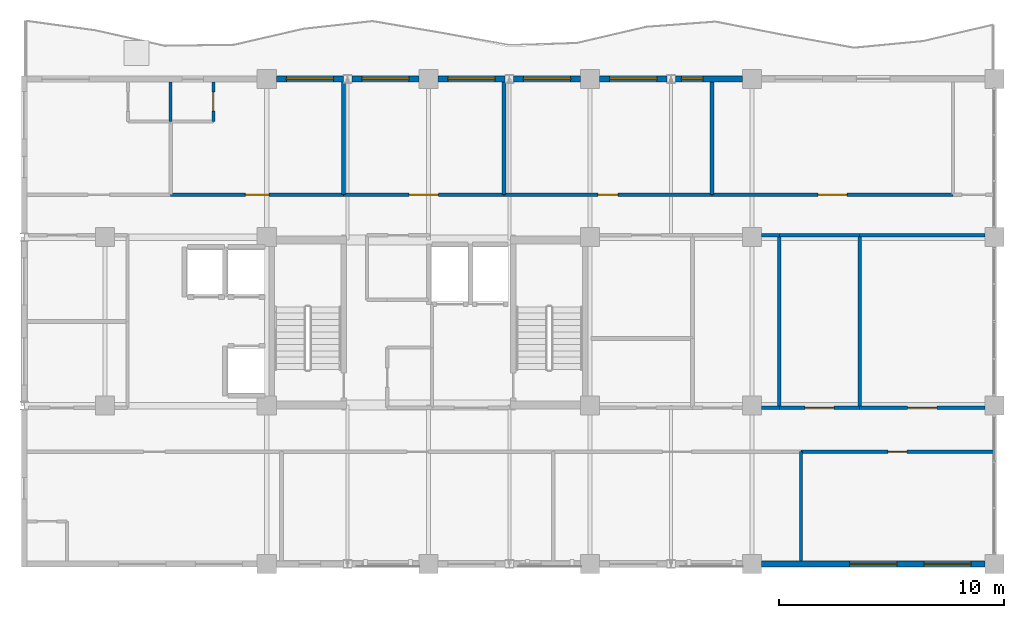
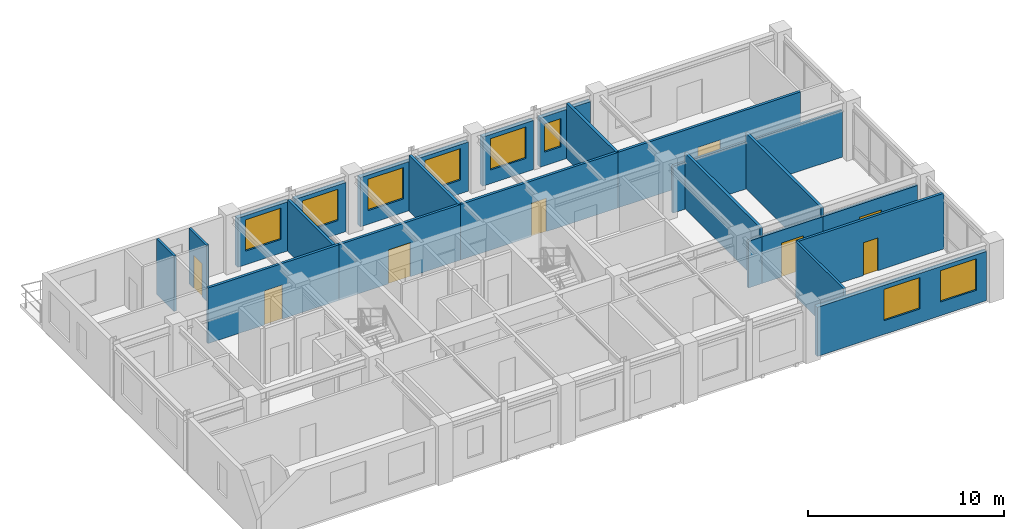
# One storey, part 8 of 11: 26 walls, 8 doors, 8 windows, 16 openings.
"""IFC4 building model written with IfcOpenShell, lengths in metres."""

from ifc_helpers import new_model, si_unit, direction, frame, frame_2d, origin, place, context, subcontext, project, spatial, rectangle, extrude, material, layer, layer_set, type_object, element, fill, save


model = new_model("IFC4")

# Units and contexts
model_context = context("Model", 3, precision=1e-05, world=origin(), true_north=direction((0.0, 1.0)))
body_context = subcontext(model_context, "Body", "Model", "MODEL_VIEW")
ifc_project = project(units=[si_unit("LENGTHUNIT", "METRE"), si_unit("AREAUNIT", "SQUARE_METRE"), si_unit("VOLUMEUNIT", "CUBIC_METRE"), si_unit("PLANEANGLEUNIT", "RADIAN"), si_unit("MASSUNIT", "GRAM", prefix="KILO")], contexts=[model_context])

# Site, building, storey
site_placement = place(None, origin())
site = spatial("IfcSite", under=ifc_project, at=site_placement, CompositionType="ELEMENT")
building_placement = place(site_placement, origin())
building = spatial("IfcBuilding", under=site, at=building_placement, Name="Kaliganga Portal Commons", CompositionType="ELEMENT")
storey_placement = place(building_placement, frame((0.0, 0.0, 264.699951171875)))
storey = spatial("IfcBuildingStorey", under=building, at=storey_placement, Name="L68", CompositionType="ELEMENT", Elevation=264.699951171875)

# Wall, openings, windows
ifc_material_1 = material(Name="Insulated Aluminium-Clad Spandrel Assembly", Category="aluminium")
ifc_layer_1 = layer(ifc_material_1, 0.260009765625)
ifc_layer_set_1 = layer_set([ifc_layer_1], Name="Insulated Aluminium-Clad Spandrel Assembly")
wall_type_1 = type_object("IfcWallType", Name="WL-EXT-SPAND-260", PredefinedType="STANDARD", material=ifc_layer_set_1)
wall_1_placement = place(storey_placement, frame((46.3740234375, 21.60009765625, 0.0), z_axis=(0.0, 0.0, 1.0), x_axis=(-1.0, 0.0, 0.0)))
wall_1 = element("IfcWall", 1, at=wall_1_placement, inside=storey, type_object=wall_type_1, Name="Exterior Envelope Wall L68 P1-E00-S8", PredefinedType="STANDARD", context=body_context, shape_type="SweptSolid", body=[
    extrude(rectangle(XDim=9.947998046875, YDim=0.260009765625, at=frame_2d((4.97412109375, 0.0))), origin(), (0.0, 0.0, 1.0), 3.054931640625),
])
opening_1_placement = place(wall_1_placement, frame((0.60791015625, 0.0, 0.85009765625)))
opening_1 = element("IfcOpeningElement", 2, at=opening_1_placement, cuts=wall_1, Name="Opening W-06", PredefinedType="OPENING", context=body_context, shape_type="SweptSolid", body=[
    extrude(rectangle(XDim=2.10009765625, YDim=1.949951171875, at=frame_2d((1.050048828125, 0.97509765625))), frame((0.0, 0.14013671875, 0.0), z_axis=(0.0, -1.0, 0.0), x_axis=(1.0, 0.0, 0.0)), (0.0, 0.0, 1.0), 0.280029296875),
])
opening_2_placement = place(wall_1_placement, frame((3.924072265625, 0.0, 0.85009765625)))
opening_2 = element("IfcOpeningElement", 3, at=opening_2_placement, cuts=wall_1, Name="Opening W-06", PredefinedType="OPENING", context=body_context, shape_type="SweptSolid", body=[
    extrude(rectangle(XDim=2.10009765625, YDim=1.949951171875, at=frame_2d((1.050048828125, 0.97509765625))), frame((0.0, 0.14013671875, 0.0), z_axis=(0.0, -1.0, 0.0), x_axis=(1.0, 0.0, 0.0)), (0.0, 0.0, 1.0), 0.280029296875),
])
ifc_material_2 = material(Name="Thermally Broken Aluminium and Low-E Double Glazing", Category="aluminium")
window_type_1 = type_object("IfcWindowType", Name="WIN-PAN-2100", PartitioningType="DOUBLE_PANEL_VERTICAL", PredefinedType="WINDOW", material=ifc_material_2)
window_1_placement = place(opening_1_placement, origin())
window_1 = element("IfcWindow", 4, at=window_1_placement, inside=storey, type_object=window_type_1, Name="Facade Window L68-P1E00S8-00", OverallHeight=1.949951171875, OverallWidth=2.10009765625, PartitioningType="SINGLE_PANEL", PredefinedType="WINDOW", context=body_context, shape_type="SweptSolid", body=[
    extrude(rectangle(XDim=2.10009765625, YDim=1.949951171875, at=frame_2d((1.050048828125, 0.97509765625))), frame((0.0, 0.030029296875, 0.0), z_axis=(0.0, -1.0, 0.0), x_axis=(1.0, 0.0, 0.0)), (0.0, 0.0, 1.0), 0.06005859375),
])
fill(opening_1, window_1)
window_2_placement = place(opening_2_placement, origin())
window_2 = element("IfcWindow", 5, at=window_2_placement, inside=storey, type_object=window_type_1, Name="Facade Window L68-P1E00S8-01", OverallHeight=1.949951171875, OverallWidth=2.10009765625, PartitioningType="SINGLE_PANEL", PredefinedType="WINDOW", context=body_context, shape_type="SweptSolid", body=[
    extrude(rectangle(XDim=2.10009765625, YDim=1.949951171875, at=frame_2d((1.050048828125, 0.97509765625))), frame((0.0, 0.030029296875, 0.0), z_axis=(0.0, -1.0, 0.0), x_axis=(1.0, 0.0, 0.0)), (0.0, 0.0, 1.0), 0.06005859375),
])
fill(opening_2, window_2)

# Wall, opening, window
wall_2_placement = place(storey_placement, frame((32.587890625, 43.199951171875, 0.0), z_axis=(0.0, 0.0, 1.0), x_axis=(1.0, 0.0, 0.0)))
wall_2 = element("IfcWall", 6, at=wall_2_placement, inside=storey, type_object=wall_type_1, Name="Exterior Envelope Wall L68 P1-E02-S2", PredefinedType="STANDARD", context=body_context, shape_type="SweptSolid", body=[
    extrude(rectangle(XDim=2.986083984375, YDim=0.260009765625, at=frame_2d((1.4931640625, 0.0))), origin(), (0.0, 0.0, 1.0), 3.054931640625),
])
opening_3_placement = place(wall_2_placement, frame((0.277587890625, 0.0, 0.85009765625)))
opening_3 = element("IfcOpeningElement", 7, at=opening_3_placement, cuts=wall_2, Name="Opening W-04", PredefinedType="OPENING", context=body_context, shape_type="SweptSolid", body=[
    extrude(rectangle(XDim=0.949951171875, YDim=1.75, at=frame_2d((0.47509765625, 0.875))), frame((0.0, 0.14013671875, 0.0), z_axis=(0.0, -1.0, 0.0), x_axis=(1.0, 0.0, 0.0)), (0.0, 0.0, 1.0), 0.280029296875),
])
window_type_2 = type_object("IfcWindowType", Name="WIN-NARROW-950", PartitioningType="SINGLE_PANEL", PredefinedType="WINDOW", material=ifc_material_2)
window_3_placement = place(opening_3_placement, origin())
window_3 = element("IfcWindow", 8, at=window_3_placement, inside=storey, type_object=window_type_2, Name="Facade Window L68-P1E02S2-N1", OverallHeight=1.75, OverallWidth=0.949951171875, PartitioningType="SINGLE_PANEL", PredefinedType="WINDOW", context=body_context, shape_type="SweptSolid", body=[
    extrude(rectangle(XDim=0.949951171875, YDim=1.75, at=frame_2d((0.47509765625, 0.875))), frame((0.0, 0.030029296875, 0.0), z_axis=(0.0, -1.0, 0.0), x_axis=(1.0, 0.0, 0.0)), (0.0, 0.0, 1.0), 0.06005859375),
])
fill(opening_3, window_3)

wall_3_placement = place(storey_placement, frame((29.22607421875, 43.199951171875, 0.0), z_axis=(0.0, 0.0, 1.0), x_axis=(1.0, 0.0, 0.0)))
wall_3 = element("IfcWall", 9, at=wall_3_placement, inside=storey, type_object=wall_type_1, Name="Exterior Envelope Wall L68 P1-E02-S3", PredefinedType="STANDARD", context=body_context, shape_type="SweptSolid", body=[
    extrude(rectangle(XDim=2.98583984375, YDim=0.260009765625, at=frame_2d((1.492919921875, 0.0))), origin(), (0.0, 0.0, 1.0), 3.054931640625),
])
opening_4_placement = place(wall_3_placement, frame((0.443115234375, 0.0, 0.85009765625)))
opening_4 = element("IfcOpeningElement", 10, at=opening_4_placement, cuts=wall_3, Name="Opening W-06", PredefinedType="OPENING", context=body_context, shape_type="SweptSolid", body=[
    extrude(rectangle(XDim=2.10009765625, YDim=1.949951171875, at=frame_2d((1.050048828125, 0.97509765625))), frame((0.0, 0.14013671875, 0.0), z_axis=(0.0, -1.0, 0.0), x_axis=(1.0, 0.0, 0.0)), (0.0, 0.0, 1.0), 0.280029296875),
])
window_4_placement = place(opening_4_placement, origin())
window_4 = element("IfcWindow", 11, at=window_4_placement, inside=storey, type_object=window_type_1, Name="Facade Window L68-P1E02S3-00", OverallHeight=1.949951171875, OverallWidth=2.10009765625, PartitioningType="SINGLE_PANEL", PredefinedType="WINDOW", context=body_context, shape_type="SweptSolid", body=[
    extrude(rectangle(XDim=2.10009765625, YDim=1.949951171875, at=frame_2d((1.050048828125, 0.97509765625))), frame((0.0, 0.030029296875, 0.0), z_axis=(0.0, -1.0, 0.0), x_axis=(1.0, 0.0, 0.0)), (0.0, 0.0, 1.0), 0.06005859375),
])
fill(opening_4, window_4)

wall_4_placement = place(storey_placement, frame((25.387939453125, 43.199951171875, 0.0), z_axis=(0.0, 0.0, 1.0), x_axis=(1.0, 0.0, 0.0)))
wall_4 = element("IfcWall", 12, at=wall_4_placement, inside=storey, type_object=wall_type_1, Name="Exterior Envelope Wall L68 P1-E02-S4", PredefinedType="STANDARD", context=body_context, shape_type="SweptSolid", body=[
    extrude(rectangle(XDim=2.986083984375, YDim=0.260009765625, at=frame_2d((1.4931640625, 0.0))), origin(), (0.0, 0.0, 1.0), 3.054931640625),
])
opening_5_placement = place(wall_4_placement, frame((0.443115234375, 0.0, 0.85009765625)))
opening_5 = element("IfcOpeningElement", 13, at=opening_5_placement, cuts=wall_4, Name="Opening W-06", PredefinedType="OPENING", context=body_context, shape_type="SweptSolid", body=[
    extrude(rectangle(XDim=2.10009765625, YDim=1.949951171875, at=frame_2d((1.050048828125, 0.97509765625))), frame((0.0, 0.14013671875, 0.0), z_axis=(0.0, -1.0, 0.0), x_axis=(1.0, 0.0, 0.0)), (0.0, 0.0, 1.0), 0.280029296875),
])
window_5_placement = place(opening_5_placement, origin())
window_5 = element("IfcWindow", 14, at=window_5_placement, inside=storey, type_object=window_type_1, Name="Facade Window L68-P1E02S4-00", OverallHeight=1.949951171875, OverallWidth=2.10009765625, PartitioningType="SINGLE_PANEL", PredefinedType="WINDOW", context=body_context, shape_type="SweptSolid", body=[
    extrude(rectangle(XDim=2.10009765625, YDim=1.949951171875, at=frame_2d((1.050048828125, 0.97509765625))), frame((0.0, 0.030029296875, 0.0), z_axis=(0.0, -1.0, 0.0), x_axis=(1.0, 0.0, 0.0)), (0.0, 0.0, 1.0), 0.06005859375),
])
fill(opening_5, window_5)

wall_5_placement = place(storey_placement, frame((22.02587890625, 43.199951171875, 0.0), z_axis=(0.0, 0.0, 1.0), x_axis=(1.0, 0.0, 0.0)))
wall_5 = element("IfcWall", 15, at=wall_5_placement, inside=storey, type_object=wall_type_1, Name="Exterior Envelope Wall L68 P1-E02-S5", PredefinedType="STANDARD", context=body_context, shape_type="SweptSolid", body=[
    extrude(rectangle(XDim=2.986083984375, YDim=0.260009765625, at=frame_2d((1.4931640625, 0.0))), origin(), (0.0, 0.0, 1.0), 3.054931640625),
])
opening_6_placement = place(wall_5_placement, frame((0.443115234375, 0.0, 0.85009765625)))
opening_6 = element("IfcOpeningElement", 16, at=opening_6_placement, cuts=wall_5, Name="Opening W-06", PredefinedType="OPENING", context=body_context, shape_type="SweptSolid", body=[
    extrude(rectangle(XDim=2.10009765625, YDim=1.949951171875, at=frame_2d((1.050048828125, 0.97509765625))), frame((0.0, 0.14013671875, 0.0), z_axis=(0.0, -1.0, 0.0), x_axis=(1.0, 0.0, 0.0)), (0.0, 0.0, 1.0), 0.280029296875),
])
window_6_placement = place(opening_6_placement, origin())
window_6 = element("IfcWindow", 17, at=window_6_placement, inside=storey, type_object=window_type_1, Name="Facade Window L68-P1E02S5-00", OverallHeight=1.949951171875, OverallWidth=2.10009765625, PartitioningType="SINGLE_PANEL", PredefinedType="WINDOW", context=body_context, shape_type="SweptSolid", body=[
    extrude(rectangle(XDim=2.10009765625, YDim=1.949951171875, at=frame_2d((1.050048828125, 0.97509765625))), frame((0.0, 0.030029296875, 0.0), z_axis=(0.0, -1.0, 0.0), x_axis=(1.0, 0.0, 0.0)), (0.0, 0.0, 1.0), 0.06005859375),
])
fill(opening_6, window_6)

wall_6_placement = place(storey_placement, frame((18.18798828125, 43.199951171875, 0.0), z_axis=(0.0, 0.0, 1.0), x_axis=(1.0, 0.0, 0.0)))
wall_6 = element("IfcWall", 18, at=wall_6_placement, inside=storey, type_object=wall_type_1, Name="Exterior Envelope Wall L68 P1-E02-S6", PredefinedType="STANDARD", context=body_context, shape_type="SweptSolid", body=[
    extrude(rectangle(XDim=2.986083984375, YDim=0.260009765625, at=frame_2d((1.4931640625, 0.0))), origin(), (0.0, 0.0, 1.0), 3.054931640625),
])
opening_7_placement = place(wall_6_placement, frame((0.443115234375, 0.0, 0.85009765625)))
opening_7 = element("IfcOpeningElement", 19, at=opening_7_placement, cuts=wall_6, Name="Opening W-06", PredefinedType="OPENING", context=body_context, shape_type="SweptSolid", body=[
    extrude(rectangle(XDim=2.10009765625, YDim=1.949951171875, at=frame_2d((1.050048828125, 0.97509765625))), frame((0.0, 0.14013671875, 0.0), z_axis=(0.0, -1.0, 0.0), x_axis=(1.0, 0.0, 0.0)), (0.0, 0.0, 1.0), 0.280029296875),
])
window_7_placement = place(opening_7_placement, origin())
window_7 = element("IfcWindow", 20, at=window_7_placement, inside=storey, type_object=window_type_1, Name="Facade Window L68-P1E02S6-00", OverallHeight=1.949951171875, OverallWidth=2.10009765625, PartitioningType="SINGLE_PANEL", PredefinedType="WINDOW", context=body_context, shape_type="SweptSolid", body=[
    extrude(rectangle(XDim=2.10009765625, YDim=1.949951171875, at=frame_2d((1.050048828125, 0.97509765625))), frame((0.0, 0.030029296875, 0.0), z_axis=(0.0, -1.0, 0.0), x_axis=(1.0, 0.0, 0.0)), (0.0, 0.0, 1.0), 0.06005859375),
])
fill(opening_7, window_7)

wall_7_placement = place(storey_placement, frame((14.825927734375, 43.199951171875, 0.0), z_axis=(0.0, 0.0, 1.0), x_axis=(1.0, 0.0, 0.0)))
wall_7 = element("IfcWall", 21, at=wall_7_placement, inside=storey, type_object=wall_type_1, Name="Exterior Envelope Wall L68 P1-E02-S7", PredefinedType="STANDARD", context=body_context, shape_type="SweptSolid", body=[
    extrude(rectangle(XDim=2.986083984375, YDim=0.260009765625, at=frame_2d((1.4931640625, 0.0))), origin(), (0.0, 0.0, 1.0), 3.054931640625),
])
opening_8_placement = place(wall_7_placement, frame((0.443115234375, 0.0, 0.85009765625)))
opening_8 = element("IfcOpeningElement", 22, at=opening_8_placement, cuts=wall_7, Name="Opening W-06", PredefinedType="OPENING", context=body_context, shape_type="SweptSolid", body=[
    extrude(rectangle(XDim=2.10009765625, YDim=1.949951171875, at=frame_2d((1.050048828125, 0.97509765625))), frame((0.0, 0.14013671875, 0.0), z_axis=(0.0, -1.0, 0.0), x_axis=(1.0, 0.0, 0.0)), (0.0, 0.0, 1.0), 0.280029296875),
])
window_8_placement = place(opening_8_placement, origin())
window_8 = element("IfcWindow", 23, at=window_8_placement, inside=storey, type_object=window_type_1, Name="Facade Window L68-P1E02S7-00", OverallHeight=1.949951171875, OverallWidth=2.10009765625, PartitioningType="SINGLE_PANEL", PredefinedType="WINDOW", context=body_context, shape_type="SweptSolid", body=[
    extrude(rectangle(XDim=2.10009765625, YDim=1.949951171875, at=frame_2d((1.050048828125, 0.97509765625))), frame((0.0, 0.030029296875, 0.0), z_axis=(0.0, -1.0, 0.0), x_axis=(1.0, 0.0, 0.0)), (0.0, 0.0, 1.0), 0.06005859375),
])
fill(opening_8, window_8)

# Wall, opening, door
ifc_material_3 = material(Name="Fire-Rated Gypsum Board on Steel Stud", Category="steel")
ifc_layer_2 = layer(ifc_material_3, 0.14990234375)
ifc_layer_set_2 = layer_set([ifc_layer_2], Name="Fire-Rated Gypsum Board on Steel Stud")
wall_type_2 = type_object("IfcWallType", Name="WL-PART-CORR-150", PredefinedType="PARTITIONING", material=ifc_layer_set_2)
wall_8_placement = place(storey_placement, frame((34.219970703125, 38.0400390625, 0.0), z_axis=(0.0, 0.0, 1.0), x_axis=(1.0, 0.0, 0.0)))
wall_8 = element("IfcWall", 24, at=wall_8_placement, inside=storey, type_object=wall_type_2, Name="Interior Partition L68-011", PredefinedType="PARTITIONING", context=body_context, shape_type="SweptSolid", body=[
    extrude(rectangle(XDim=10.739990234375, YDim=0.14990234375, at=frame_2d((5.3701171875, 0.0))), origin(), (0.0, 0.0, 1.0), 3.455078125),
])
opening_9_placement = place(wall_8_placement, frame((4.719970703125, 0.0, 0.0)))
opening_9 = element("IfcOpeningElement", 25, at=opening_9_placement, cuts=wall_8, Name="Opening RD-03", PredefinedType="OPENING", context=body_context, shape_type="SweptSolid", body=[
    extrude(rectangle(XDim=1.300048828125, YDim=2.1201171875, at=frame_2d((0.64990234375, 1.06005859375))), frame((0.0, 0.0849609375, 0.0), z_axis=(0.0, -1.0, 0.0), x_axis=(1.0, 0.0, 0.0)), (0.0, 0.0, 1.0), 0.169921875),
])
ifc_material_4 = material(Name="Glazed Timber Seminar Vision Door", Category="wood")
door_type_1 = type_object("IfcDoorType", Name="DR-STUDY-1300", OperationType="DOUBLE_DOOR_SINGLE_SWING", PredefinedType="DOOR", material=ifc_material_4)
door_1_placement = place(opening_9_placement, origin())
door_1 = element("IfcDoor", 26, at=door_1_placement, inside=storey, type_object=door_type_1, Name="Interior Door L68-AN05", OperationType="DOUBLE_DOOR_SINGLE_SWING", OverallHeight=2.1201171875, OverallWidth=1.300048828125, PredefinedType="DOOR", context=body_context, shape_type="SweptSolid", body=[
    extrude(rectangle(XDim=1.300048828125, YDim=2.1201171875, at=frame_2d((0.64990234375, 1.06005859375))), frame((0.0, 0.02490234375, 0.0), z_axis=(0.0, -1.0, 0.0), x_axis=(1.0, 0.0, 0.0)), (0.0, 0.0, 1.0), 0.050048828125),
])
fill(opening_9, door_1)

wall_9_placement = place(storey_placement, frame((24.9599609375, 38.0400390625, 0.0), z_axis=(0.0, 0.0, 1.0), x_axis=(1.0, 0.0, 0.0)))
wall_9 = element("IfcWall", 27, at=wall_9_placement, inside=storey, type_object=wall_type_2, Name="Interior Partition L68-012", PredefinedType="PARTITIONING", context=body_context, shape_type="SweptSolid", body=[
    extrude(rectangle(XDim=9.260009765625, YDim=0.14990234375, at=frame_2d((4.6298828125, 0.0))), origin(), (0.0, 0.0, 1.0), 3.455078125),
])
opening_10_placement = place(wall_9_placement, frame((4.179931640625, 0.0, 0.0)))
opening_10 = element("IfcOpeningElement", 28, at=opening_10_placement, cuts=wall_9, Name="Opening RD-01", PredefinedType="OPENING", context=body_context, shape_type="SweptSolid", body=[
    extrude(rectangle(XDim=0.89990234375, YDim=2.080078125, at=frame_2d((0.449951171875, 1.0400390625))), frame((0.0, 0.0849609375, 0.0), z_axis=(0.0, -1.0, 0.0), x_axis=(1.0, 0.0, 0.0)), (0.0, 0.0, 1.0), 0.169921875),
])
ifc_material_5 = material(Name="Engineered Timber Flush Door", Category="wood")
door_type_2 = type_object("IfcDoorType", Name="DR-ROOM-900", OperationType="NOTDEFINED", PredefinedType="DOOR", material=ifc_material_5)
door_2_placement = place(opening_10_placement, origin())
door_2 = element("IfcDoor", 29, at=door_2_placement, inside=storey, type_object=door_type_2, Name="Interior Door L68-AN04", OperationType="SINGLE_SWING_RIGHT", OverallHeight=2.080078125, OverallWidth=0.89990234375, PredefinedType="DOOR", context=body_context, shape_type="SweptSolid", body=[
    extrude(rectangle(XDim=0.89990234375, YDim=2.080078125, at=frame_2d((0.449951171875, 1.0400390625))), frame((0.0, 0.02490234375, 0.0), z_axis=(0.0, -1.0, 0.0), x_axis=(1.0, 0.0, 0.0)), (0.0, 0.0, 1.0), 0.050048828125),
])
fill(opening_10, door_2)

wall_10_placement = place(storey_placement, frame((38.179931640625, 26.60009765625, 0.0), z_axis=(0.0, 0.0, 1.0), x_axis=(1.0, 0.0, 0.0)))
wall_10 = element("IfcWall", 30, at=wall_10_placement, inside=storey, type_object=wall_type_2, Name="Interior Partition L68-013", PredefinedType="PARTITIONING", context=body_context, shape_type="SweptSolid", body=[
    extrude(rectangle(XDim=8.60009765625, YDim=0.14990234375, at=frame_2d((4.300048828125, 0.0))), origin(), (0.0, 0.0, 1.0), 3.455078125),
])
opening_11_placement = place(wall_10_placement, frame((3.875, 0.0, 0.0)))
opening_11 = element("IfcOpeningElement", 31, at=opening_11_placement, cuts=wall_10, Name="Opening WD-01", PredefinedType="OPENING", context=body_context, shape_type="SweptSolid", body=[
    extrude(rectangle(XDim=0.85009765625, YDim=2.0400390625, at=frame_2d((0.425048828125, 1.02001953125))), frame((0.0, 0.0849609375, 0.0), z_axis=(0.0, -1.0, 0.0), x_axis=(1.0, 0.0, 0.0)), (0.0, 0.0, 1.0), 0.169921875),
])
ifc_material_6 = material(Name="Moisture-Resistant Laminate Timber Door", Category="wood")
door_type_3 = type_object("IfcDoorType", Name="DR-WET-850", OperationType="NOTDEFINED", PredefinedType="DOOR", material=ifc_material_6)
door_3_placement = place(opening_11_placement, origin())
door_3 = element("IfcDoor", 32, at=door_3_placement, inside=storey, type_object=door_type_3, Name="Interior Door L68-AS04", OperationType="SINGLE_SWING_LEFT", OverallHeight=2.0400390625, OverallWidth=0.85009765625, PredefinedType="DOOR", context=body_context, shape_type="SweptSolid", body=[
    extrude(rectangle(XDim=0.85009765625, YDim=2.0400390625, at=frame_2d((0.425048828125, 1.02001953125))), frame((0.0, 0.02490234375, 0.0), z_axis=(0.0, -1.0, 0.0), x_axis=(1.0, 0.0, 0.0)), (0.0, 0.0, 1.0), 0.050048828125),
])
fill(opening_11, door_3)

wall_11_placement = place(storey_placement, frame((10.1201171875, 38.0400390625, 0.0), z_axis=(0.0, 0.0, 1.0), x_axis=(1.0, 0.0, 0.0)))
wall_11 = element("IfcWall", 33, at=wall_11_placement, inside=storey, type_object=wall_type_2, Name="Interior Partition L68-014", PredefinedType="PARTITIONING", context=body_context, shape_type="SweptSolid", body=[
    extrude(rectangle(XDim=7.699951171875, YDim=0.14990234375, at=frame_2d((3.85009765625, 0.0))), origin(), (0.0, 0.0, 1.0), 3.455078125),
])
opening_12_placement = place(wall_11_placement, frame((3.324951171875, 0.0, 0.0)))
opening_12 = element("IfcOpeningElement", 34, at=opening_12_placement, cuts=wall_11, Name="Opening UD-02", PredefinedType="OPENING", context=body_context, shape_type="SweptSolid", body=[
    extrude(rectangle(XDim=1.050048828125, YDim=2.1201171875, at=frame_2d((0.52490234375, 1.06005859375))), frame((0.0, 0.0849609375, 0.0), z_axis=(0.0, -1.0, 0.0), x_axis=(1.0, 0.0, 0.0)), (0.0, 0.0, 1.0), 0.169921875),
])
ifc_material_7 = material(Name="Accessible Wide-Leaf Acoustic Fire Door", Category="wood")
door_type_4 = type_object("IfcDoorType", Name="DR-ACC-1050", OperationType="NOTDEFINED", PredefinedType="DOOR", material=ifc_material_7)
door_4_placement = place(opening_12_placement, origin())
door_4 = element("IfcDoor", 35, at=door_4_placement, inside=storey, type_object=door_type_4, Name="Interior Door L68-AN02", OperationType="SINGLE_SWING_RIGHT", OverallHeight=2.1201171875, OverallWidth=1.050048828125, PredefinedType="DOOR", context=body_context, shape_type="SweptSolid", body=[
    extrude(rectangle(XDim=1.050048828125, YDim=2.1201171875, at=frame_2d((0.52490234375, 1.06005859375))), frame((0.0, 0.02490234375, 0.0), z_axis=(0.0, -1.0, 0.0), x_axis=(1.0, 0.0, 0.0)), (0.0, 0.0, 1.0), 0.050048828125),
])
fill(opening_12, door_4)

wall_12_placement = place(storey_placement, frame((17.820068359375, 38.0400390625, 0.0), z_axis=(0.0, 0.0, 1.0), x_axis=(1.0, 0.0, 0.0)))
wall_12 = element("IfcWall", 36, at=wall_12_placement, inside=storey, type_object=wall_type_2, Name="Interior Partition L68-015", PredefinedType="PARTITIONING", context=body_context, shape_type="SweptSolid", body=[
    extrude(rectangle(XDim=7.139892578125, YDim=0.14990234375, at=frame_2d((3.56982421875, 0.0))), origin(), (0.0, 0.0, 1.0), 3.455078125),
])
opening_13_placement = place(wall_12_placement, frame((2.919921875, 0.0, 0.0)))
opening_13 = element("IfcOpeningElement", 37, at=opening_13_placement, cuts=wall_12, Name="Opening RD-03", PredefinedType="OPENING", context=body_context, shape_type="SweptSolid", body=[
    extrude(rectangle(XDim=1.300048828125, YDim=2.1201171875, at=frame_2d((0.64990234375, 1.06005859375))), frame((0.0, 0.0849609375, 0.0), z_axis=(0.0, -1.0, 0.0), x_axis=(1.0, 0.0, 0.0)), (0.0, 0.0, 1.0), 0.169921875),
])
door_5_placement = place(opening_13_placement, origin())
door_5 = element("IfcDoor", 38, at=door_5_placement, inside=storey, type_object=door_type_1, Name="Interior Door L68-AN03", OperationType="DOUBLE_DOOR_SINGLE_SWING", OverallHeight=2.1201171875, OverallWidth=1.300048828125, PredefinedType="DOOR", context=body_context, shape_type="SweptSolid", body=[
    extrude(rectangle(XDim=1.300048828125, YDim=2.1201171875, at=frame_2d((0.64990234375, 1.06005859375))), frame((0.0, 0.02490234375, 0.0), z_axis=(0.0, -1.0, 0.0), x_axis=(1.0, 0.0, 0.0)), (0.0, 0.0, 1.0), 0.050048828125),
])
fill(opening_13, door_5)

wall_13_placement = place(storey_placement, frame((40.800048828125, 28.56005859375, 0.0), z_axis=(0.0, 0.0, 1.0), x_axis=(1.0, 0.0, 0.0)))
wall_13 = element("IfcWall", 39, at=wall_13_placement, inside=storey, type_object=wall_type_2, Name="Interior Partition L68-017", PredefinedType="PARTITIONING", context=body_context, shape_type="SweptSolid", body=[
    extrude(rectangle(XDim=5.574951171875, YDim=0.14990234375, at=frame_2d((2.78759765625, 0.0))), origin(), (0.0, 0.0, 1.0), 2.905029296875),
])
opening_14_placement = place(wall_13_placement, frame((2.137451171875, 0.0, 0.0)))
opening_14 = element("IfcOpeningElement", 40, at=opening_14_placement, cuts=wall_13, Name="Opening RD-03", PredefinedType="OPENING", context=body_context, shape_type="SweptSolid", body=[
    extrude(rectangle(XDim=1.300048828125, YDim=2.1201171875, at=frame_2d((0.64990234375, 1.06005859375))), frame((0.0, 0.0849609375, 0.0), z_axis=(0.0, -1.0, 0.0), x_axis=(1.0, 0.0, 0.0)), (0.0, 0.0, 1.0), 0.169921875),
])
door_6_placement = place(opening_14_placement, origin())
door_6 = element("IfcDoor", 41, at=door_6_placement, inside=storey, type_object=door_type_1, Name="Interior Door L68-AE03", OperationType="DOUBLE_DOOR_SINGLE_SWING", OverallHeight=2.1201171875, OverallWidth=1.300048828125, PredefinedType="DOOR", context=body_context, shape_type="SweptSolid", body=[
    extrude(rectangle(XDim=1.300048828125, YDim=2.1201171875, at=frame_2d((0.64990234375, 1.06005859375))), frame((0.0, 0.02490234375, 0.0), z_axis=(0.0, -1.0, 0.0), x_axis=(1.0, 0.0, 0.0)), (0.0, 0.0, 1.0), 0.050048828125),
])
fill(opening_14, door_6)

# Walls
wall_14_placement = place(storey_placement, frame((40.800048828125, 36.239990234375, 0.0), z_axis=(0.0, 0.0, 1.0), x_axis=(1.0, 0.0, 0.0)))
element("IfcWall", 42, at=wall_14_placement, inside=storey, type_object=wall_type_2, Name="Interior Partition L68-018", PredefinedType="PARTITIONING", context=body_context, shape_type="SweptSolid", body=[
    extrude(rectangle(XDim=5.574951171875, YDim=0.14990234375, at=frame_2d((2.78759765625, 0.0))), origin(), (0.0, 0.0, 1.0), 2.905029296875),
])
for number, where, z_axis, x_axis, name in (
    (43, (36.425048828125, 28.56005859375, 0.0), (0.0, 0.0, 1.0), (1.0, 0.0, 0.0), "Interior Partition L68-026"),
    (44, (36.425048828125, 36.239990234375, 0.0), (0.0, 0.0, 1.0), (1.0, 0.0, 0.0), "Interior Partition L68-028"),
):
    element("IfcWall", number, at=place(storey_placement, frame(where, z_axis=z_axis, x_axis=x_axis)), inside=storey, type_object=wall_type_2, Name=name, PredefinedType="PARTITIONING", context=body_context, shape_type="SweptSolid", body=[
        extrude(rectangle(XDim=0.794921875, YDim=0.14990234375, at=frame_2d((0.3974609375, 0.0))), origin(), (0.0, 0.0, 1.0), 2.905029296875),
    ])

# Wall, opening, door
wall_15_placement = place(storey_placement, frame((37.219970703125, 28.56005859375, 0.0), z_axis=(0.0, 0.0, 1.0), x_axis=(1.0, 0.0, 0.0)))
wall_15 = element("IfcWall", 45, at=wall_15_placement, inside=storey, type_object=wall_type_2, Name="Interior Partition L68-031", PredefinedType="PARTITIONING", context=body_context, shape_type="SweptSolid", body=[
    extrude(rectangle(XDim=3.580078125, YDim=0.14990234375, at=frame_2d((1.7900390625, 0.0))), origin(), (0.0, 0.0, 1.0), 2.905029296875),
])
opening_15_placement = place(wall_15_placement, frame((1.139892578125, 0.0, 0.0)))
opening_15 = element("IfcOpeningElement", 46, at=opening_15_placement, cuts=wall_15, Name="Opening RD-03", PredefinedType="OPENING", context=body_context, shape_type="SweptSolid", body=[
    extrude(rectangle(XDim=1.300048828125, YDim=2.1201171875, at=frame_2d((0.64990234375, 1.06005859375))), frame((0.0, 0.0849609375, 0.0), z_axis=(0.0, -1.0, 0.0), x_axis=(1.0, 0.0, 0.0)), (0.0, 0.0, 1.0), 0.169921875),
])
door_7_placement = place(opening_15_placement, origin())
door_7 = element("IfcDoor", 47, at=door_7_placement, inside=storey, type_object=door_type_1, Name="Interior Door L68-AE02", OperationType="DOUBLE_DOOR_SINGLE_SWING", OverallHeight=2.1201171875, OverallWidth=1.300048828125, PredefinedType="DOOR", context=body_context, shape_type="SweptSolid", body=[
    extrude(rectangle(XDim=1.300048828125, YDim=2.1201171875, at=frame_2d((0.64990234375, 1.06005859375))), frame((0.0, 0.02490234375, 0.0), z_axis=(0.0, -1.0, 0.0), x_axis=(1.0, 0.0, 0.0)), (0.0, 0.0, 1.0), 0.050048828125),
])
fill(opening_15, door_7)

# Walls
wall_16_placement = place(storey_placement, frame((37.219970703125, 36.239990234375, 0.0), z_axis=(0.0, 0.0, 1.0), x_axis=(1.0, 0.0, 0.0)))
element("IfcWall", 48, at=wall_16_placement, inside=storey, type_object=wall_type_2, Name="Interior Partition L68-032", PredefinedType="PARTITIONING", context=body_context, shape_type="SweptSolid", body=[
    extrude(rectangle(XDim=3.580078125, YDim=0.14990234375, at=frame_2d((1.7900390625, 0.0))), origin(), (0.0, 0.0, 1.0), 2.905029296875),
])
ifc_material_8 = material(Name="Twin-Stud Acoustic Gypsum Partition", Category="gypsum")
ifc_layer_3 = layer(ifc_material_8, 0.1650390625)
ifc_layer_set_3 = layer_set([ifc_layer_3], Name="Twin-Stud Acoustic Gypsum Partition")
wall_type_3 = type_object("IfcWallType", Name="WL-PART-UNIT-165", PredefinedType="PARTITIONING", material=ifc_layer_set_3)
for number, where, z_axis, x_axis, name in (
    (49, (37.219970703125, 28.56005859375, 0.0), (0.0, 0.0, 1.0), (0.0, 1.0, 0.0), "Interior Partition L68-042"),
    (50, (40.800048828125, 28.56005859375, 0.0), (0.0, 0.0, 1.0), (0.0, 1.0, 0.0), "Interior Partition L68-043"),
):
    element("IfcWall", number, at=place(storey_placement, frame(where, z_axis=z_axis, x_axis=x_axis)), inside=storey, type_object=wall_type_3, Name=name, PredefinedType="PARTITIONING", context=body_context, shape_type="SweptSolid", body=[
        extrude(rectangle(XDim=7.679931640625, YDim=0.1650390625, at=frame_2d((3.83984375, 0.0))), origin(), (0.0, 0.0, 1.0), 3.455078125),
    ])
wall_17_placement = place(storey_placement, frame((17.820068359375, 38.0400390625, 0.0), z_axis=(0.0, 0.0, 1.0), x_axis=(0.0, 1.0, 0.0)))
element("IfcWall", 51, at=wall_17_placement, inside=storey, type_object=wall_type_3, Name="Interior Partition L68-044", PredefinedType="PARTITIONING", context=body_context, shape_type="SweptSolid", body=[
    extrude(rectangle(XDim=5.028076171875, YDim=0.1650390625, at=frame_2d((2.51416015625, 0.0))), origin(), (0.0, 0.0, 1.0), 3.18505859375),
])
for number, where, z_axis, x_axis, name in (
    (52, (24.9599609375, 38.0400390625, 0.0), (0.0, 0.0, 1.0), (0.0, 1.0, 0.0), "Interior Partition L68-045"),
    (53, (34.219970703125, 38.0400390625, 0.0), (0.0, 0.0, 1.0), (0.0, 1.0, 0.0), "Interior Partition L68-046"),
):
    element("IfcWall", number, at=place(storey_placement, frame(where, z_axis=z_axis, x_axis=x_axis)), inside=storey, type_object=wall_type_3, Name=name, PredefinedType="PARTITIONING", context=body_context, shape_type="SweptSolid", body=[
        extrude(rectangle(XDim=5.028076171875, YDim=0.1650390625, at=frame_2d((2.51416015625, 0.0))), origin(), (0.0, 0.0, 1.0), 3.455078125),
    ])
ifc_material_9 = material(Name="Cement-Board Wet-Room Partition", Category="gypsum")
ifc_layer_4 = layer(ifc_material_9, 0.135009765625)
ifc_layer_set_4 = layer_set([ifc_layer_4], Name="Cement-Board Wet-Room Partition")
wall_type_4 = type_object("IfcWallType", Name="WL-PART-WET-135", PredefinedType="PARTITIONING", material=ifc_layer_set_4)
wall_18_placement = place(storey_placement, frame((10.1201171875, 41.300048828125, 0.0), z_axis=(0.0, 0.0, 1.0), x_axis=(0.0, 1.0, 0.0)))
element("IfcWall", 54, at=wall_18_placement, inside=storey, type_object=wall_type_4, Name="Interior Partition L68-002", PredefinedType="PARTITIONING", context=body_context, shape_type="SweptSolid", body=[
    extrude(rectangle(XDim=1.76806640625, YDim=0.135009765625, at=frame_2d((0.884033203125, 0.0))), origin(), (0.0, 0.0, 1.0), 3.455078125),
])

# Wall, opening, door
wall_19_placement = place(storey_placement, frame((12.02001953125, 41.300048828125, 0.0), z_axis=(0.0, 0.0, 1.0), x_axis=(0.0, 1.0, 0.0)))
wall_19 = element("IfcWall", 55, at=wall_19_placement, inside=storey, type_object=wall_type_4, Name="Interior Partition L68-003", PredefinedType="PARTITIONING", context=body_context, shape_type="SweptSolid", body=[
    extrude(rectangle(XDim=1.76806640625, YDim=0.135009765625, at=frame_2d((0.884033203125, 0.0))), origin(), (0.0, 0.0, 1.0), 3.455078125),
])
opening_16_placement = place(wall_19_placement, frame((0.458984375, 0.0, 0.0)))
opening_16 = element("IfcOpeningElement", 56, at=opening_16_placement, cuts=wall_19, Name="Opening WD-01", PredefinedType="OPENING", context=body_context, shape_type="SweptSolid", body=[
    extrude(rectangle(XDim=0.85009765625, YDim=2.0400390625, at=frame_2d((0.425048828125, 1.02001953125))), frame((0.0, 0.07763671875, 0.0), z_axis=(0.0, -1.0, 0.0), x_axis=(1.0, 0.0, 0.0)), (0.0, 0.0, 1.0), 0.155029296875),
])
door_8_placement = place(opening_16_placement, origin())
door_8 = element("IfcDoor", 57, at=door_8_placement, inside=storey, type_object=door_type_3, Name="Interior Door L68-AN02E", OperationType="SINGLE_SWING_RIGHT", OverallHeight=2.0400390625, OverallWidth=0.85009765625, PredefinedType="DOOR", context=body_context, shape_type="SweptSolid", body=[
    extrude(rectangle(XDim=0.85009765625, YDim=2.0400390625, at=frame_2d((0.425048828125, 1.02001953125))), frame((0.0, 0.02490234375, 0.0), z_axis=(0.0, -1.0, 0.0), x_axis=(1.0, 0.0, 0.0)), (0.0, 0.0, 1.0), 0.050048828125),
])
fill(opening_16, door_8)

# Wall
wall_20_placement = place(storey_placement, frame((38.179931640625, 21.73193359375, 0.0), z_axis=(0.0, 0.0, 1.0), x_axis=(0.0, 1.0, 0.0)))
element("IfcWall", 58, at=wall_20_placement, inside=storey, type_object=wall_type_4, Name="Interior Partition L68-050", PredefinedType="PARTITIONING", context=body_context, shape_type="SweptSolid", body=[
    extrude(rectangle(XDim=4.8681640625, YDim=0.135009765625, at=frame_2d((2.43408203125, 0.0))), origin(), (0.0, 0.0, 1.0), 3.455078125),
])

save(model, "model.ifc")
